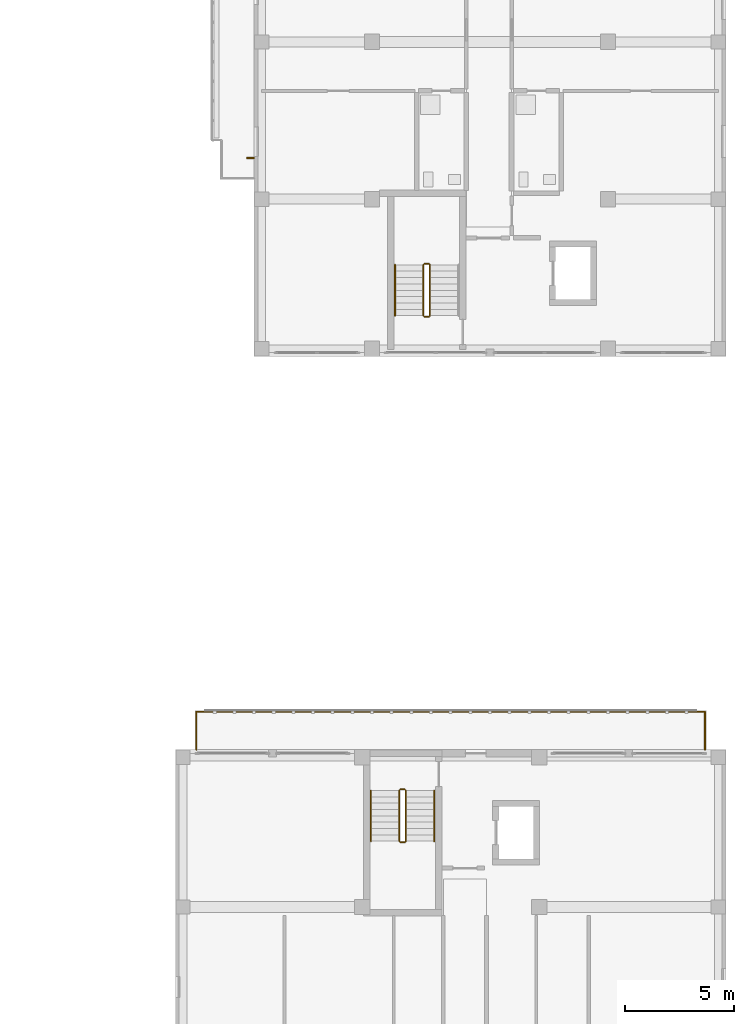
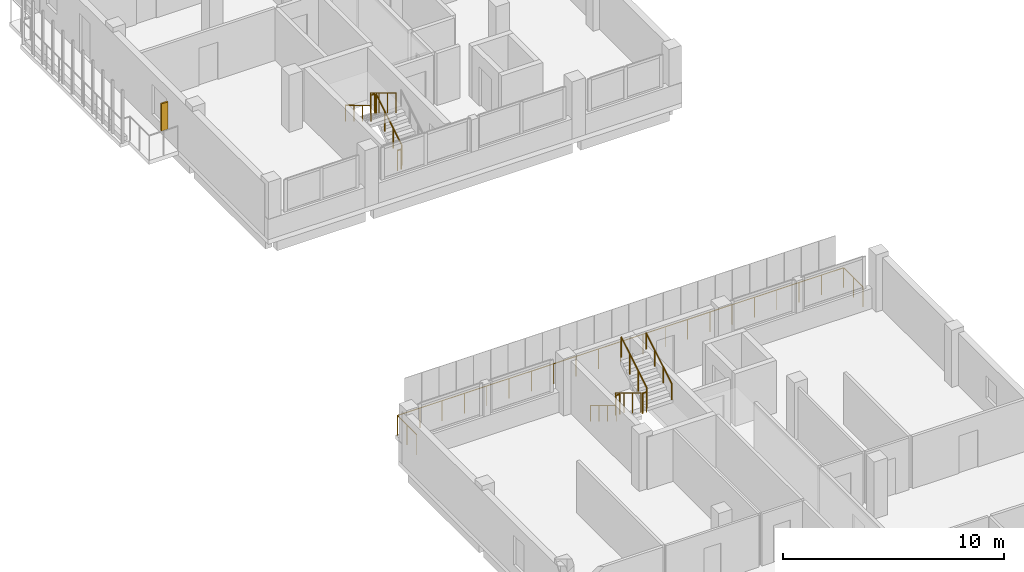
# One storey, part 47 of 51: 12 railings, 1 shading device.
"""IFC4 building model written with IfcOpenShell, lengths in metres."""

from ifc_helpers import new_model, si_unit, derived_unit, direction, frame, origin, origin_2d, place, context, subcontext, project, spatial, rectangle, circle, extrude, material, type_object, element, save


model = new_model("IFC4")

# Units and contexts
model_context = context("Model", 3, precision=1e-05, world=origin(), true_north=direction((0.0, 1.0)))
body_context = subcontext(model_context, "Body", "Model", "MODEL_VIEW")
ifc_project = project(units=[si_unit("LENGTHUNIT", "METRE"), si_unit("AREAUNIT", "SQUARE_METRE"), si_unit("VOLUMEUNIT", "CUBIC_METRE"), si_unit("PLANEANGLEUNIT", "RADIAN"), si_unit("MASSUNIT", "GRAM", prefix="KILO"), derived_unit("THERMALTRANSMITTANCEUNIT", [(si_unit("MASSUNIT", "GRAM", prefix="KILO"), 1), (si_unit("TIMEUNIT", "SECOND"), -3), (si_unit("THERMODYNAMICTEMPERATUREUNIT", "KELVIN"), -1)])], contexts=[model_context])

# Site, building, storey
site_placement = place(None, origin())
site = spatial("IfcSite", under=ifc_project, at=site_placement, CompositionType="ELEMENT")
building_placement = place(site_placement, origin())
building = spatial("IfcBuilding", under=site, at=building_placement, Name="Ochrekiln Boulevard Commons", CompositionType="ELEMENT")
storey_placement = place(building_placement, frame((0.0, 0.0, 15.22509765625)))
storey = spatial("IfcBuildingStorey", under=building, at=storey_placement, Name="L04", CompositionType="ELEMENT", Elevation=15.22509765625)

# Railings
ifc_material_1 = material(Name="Bronze-anodized extruded aluminium 6063-T6", Category="aluminium")
railing_type_1 = type_object("IfcRailingType", Name="RLG-BAL-1120", PredefinedType="BALUSTRADE", material=ifc_material_1)
railing_1_placement = place(storey_placement, frame((148.56005859375, 50.39990234375, 0.0)))
element("IfcRailing", 1, at=railing_1_placement, inside=storey, type_object=railing_type_1, Name="Block C L04 Screened Balcony Guard", PredefinedType="BALUSTRADE", context=body_context, shape_type="SweptSolid", body=[
    extrude(circle(Radius=0.02392578125, at=origin_2d()), frame((0.0, 0.0, 1.09619140625), z_axis=(0.0, 1.0, 0.0), x_axis=(-1.0, 0.0, 0.0)), (0.0, 0.0, 1.0), 1.739990234375),
    extrude(circle(Radius=0.02392578125, at=origin_2d()), frame((0.0, 1.739990234375, 1.09619140625), z_axis=(1.0, 0.0, 0.0), x_axis=(0.0, 1.0, 0.0)), (0.0, 0.0, 1.0), 23.280029296875),
    extrude(circle(Radius=0.02392578125, at=origin_2d()), frame((23.280029296875, 1.739990234375, 1.09619140625), z_axis=(0.0, -1.0, 0.0), x_axis=(1.0, 0.0, 0.0)), (0.0, 0.0, 1.0), 1.739990234375),
    extrude(circle(Radius=0.02099609375, at=origin_2d()), origin(), (0.0, 0.0, 1.0), 1.072021484375),
    extrude(circle(Radius=0.02099609375, at=origin_2d()), frame((0.0, 0.8701171875, 0.0)), (0.0, 0.0, 1.0), 1.072021484375),
    extrude(circle(Radius=0.02099609375, at=origin_2d()), frame((0.0, 1.739990234375, 0.0)), (0.0, 0.0, 1.0), 1.072021484375),
    extrude(circle(Radius=0.02099609375, at=origin_2d()), frame((1.1640625, 1.739990234375, 0.0)), (0.0, 0.0, 1.0), 1.072021484375),
    extrude(circle(Radius=0.02099609375, at=origin_2d()), frame((2.328125, 1.739990234375, 0.0)), (0.0, 0.0, 1.0), 1.072021484375),
    extrude(circle(Radius=0.02099609375, at=origin_2d()), frame((3.491943359375, 1.739990234375, 0.0)), (0.0, 0.0, 1.0), 1.072021484375),
    extrude(circle(Radius=0.02099609375, at=origin_2d()), frame((4.656005859375, 1.739990234375, 0.0)), (0.0, 0.0, 1.0), 1.072021484375),
    extrude(circle(Radius=0.02099609375, at=origin_2d()), frame((5.820068359375, 1.739990234375, 0.0)), (0.0, 0.0, 1.0), 1.072021484375),
    extrude(circle(Radius=0.02099609375, at=origin_2d()), frame((6.98388671875, 1.739990234375, 0.0)), (0.0, 0.0, 1.0), 1.072021484375),
    extrude(circle(Radius=0.02099609375, at=origin_2d()), frame((8.14794921875, 1.739990234375, 0.0)), (0.0, 0.0, 1.0), 1.072021484375),
    extrude(circle(Radius=0.02099609375, at=origin_2d()), frame((9.31201171875, 1.739990234375, 0.0)), (0.0, 0.0, 1.0), 1.072021484375),
    extrude(circle(Radius=0.02099609375, at=origin_2d()), frame((10.47607421875, 1.739990234375, 0.0)), (0.0, 0.0, 1.0), 1.072021484375),
    extrude(circle(Radius=0.02099609375, at=origin_2d()), frame((11.64013671875, 1.739990234375, 0.0)), (0.0, 0.0, 1.0), 1.072021484375),
    extrude(circle(Radius=0.02099609375, at=origin_2d()), frame((12.803955078125, 1.739990234375, 0.0)), (0.0, 0.0, 1.0), 1.072021484375),
    extrude(circle(Radius=0.02099609375, at=origin_2d()), frame((13.968017578125, 1.739990234375, 0.0)), (0.0, 0.0, 1.0), 1.072021484375),
    extrude(circle(Radius=0.02099609375, at=origin_2d()), frame((15.132080078125, 1.739990234375, 0.0)), (0.0, 0.0, 1.0), 1.072021484375),
    extrude(circle(Radius=0.02099609375, at=origin_2d()), frame((16.2958984375, 1.739990234375, 0.0)), (0.0, 0.0, 1.0), 1.072021484375),
    extrude(circle(Radius=0.02099609375, at=origin_2d()), frame((17.4599609375, 1.739990234375, 0.0)), (0.0, 0.0, 1.0), 1.072021484375),
    extrude(circle(Radius=0.02099609375, at=origin_2d()), frame((18.6240234375, 1.739990234375, 0.0)), (0.0, 0.0, 1.0), 1.072021484375),
    extrude(circle(Radius=0.02099609375, at=origin_2d()), frame((19.7880859375, 1.739990234375, 0.0)), (0.0, 0.0, 1.0), 1.072021484375),
    extrude(circle(Radius=0.02099609375, at=origin_2d()), frame((20.9521484375, 1.739990234375, 0.0)), (0.0, 0.0, 1.0), 1.072021484375),
    extrude(circle(Radius=0.02099609375, at=origin_2d()), frame((22.115966796875, 1.739990234375, 0.0)), (0.0, 0.0, 1.0), 1.072021484375),
    extrude(circle(Radius=0.02099609375, at=origin_2d()), frame((23.280029296875, 1.739990234375, 0.0)), (0.0, 0.0, 1.0), 1.072021484375),
    extrude(circle(Radius=0.02099609375, at=origin_2d()), frame((23.280029296875, 0.8701171875, 0.0)), (0.0, 0.0, 1.0), 1.072021484375),
    extrude(circle(Radius=0.02099609375, at=origin_2d()), frame((23.280029296875, 0.0, 0.0)), (0.0, 0.0, 1.0), 1.072021484375),
])
ifc_material_2 = material(Name="Brushed stainless steel 316 tubular railing", Category="steel")
railing_type_2 = type_object("IfcRailingType", Name="RLG-HDR-900", PredefinedType="HANDRAIL", material=ifc_material_2)
railing_2_placement = place(storey_placement, frame((157.64990234375, 72.590087890625, 1.75)))
element("IfcRailing", 2, at=railing_2_placement, inside=storey, type_object=railing_type_2, Name="L04 ST-B1 stair handrail 2", PredefinedType="HANDRAIL", context=body_context, shape_type="SweptSolid", body=[
    extrude(circle(Radius=0.02392578125, at=origin_2d()), frame((0.0, 0.0, 0.8759765625), z_axis=(0.0, -0.85621033714, 0.516627388526), x_axis=(1.0, 0.0, 0.0)), (0.0, 0.0, 1.0), 2.709716796875),
    extrude(circle(Radius=0.02099609375, at=origin_2d()), origin(), (0.0, 0.0, 1.0), 0.851806640625),
    extrude(circle(Radius=0.02099609375, at=origin_2d()), frame((0.0, -0.7734375, 0.466552734375)), (0.0, 0.0, 1.0), 0.851806640625),
    extrude(circle(Radius=0.02099609375, at=origin_2d()), frame((0.0, -1.546630859375, 0.933349609375)), (0.0, 0.0, 1.0), 0.851806640625),
    extrude(circle(Radius=0.02099609375, at=origin_2d()), frame((0.0, -2.320068359375, 1.39990234375)), (0.0, 0.0, 1.0), 0.851806640625),
])
railing_3_placement = place(storey_placement, frame((156.550048828125, 48.530029296875, 0.1748046875)))
element("IfcRailing", 3, at=railing_3_placement, inside=storey, type_object=railing_type_2, Name="L04 ST-C2 stair handrail 1", PredefinedType="HANDRAIL", context=body_context, shape_type="SweptSolid", body=[
    extrude(circle(Radius=0.02392578125, at=origin_2d()), frame((0.0, 0.0, 0.8759765625), z_axis=(0.0, -0.856170481923, 0.516693435108), x_axis=(1.0, 0.0, 0.0)), (0.0, 0.0, 1.0), 2.709716796875),
    extrude(circle(Radius=0.02099609375, at=origin_2d()), origin(), (0.0, 0.0, 1.0), 0.851806640625),
    extrude(circle(Radius=0.02099609375, at=origin_2d()), frame((0.0, -0.7734375, 0.466796875)), (0.0, 0.0, 1.0), 0.851806640625),
    extrude(circle(Radius=0.02099609375, at=origin_2d()), frame((0.0, -1.546630859375, 0.933349609375)), (0.0, 0.0, 1.0), 0.851806640625),
    extrude(circle(Radius=0.02099609375, at=origin_2d()), frame((0.0, -2.320068359375, 1.400146484375)), (0.0, 0.0, 1.0), 0.851806640625),
])
railing_4_placement = place(storey_placement, frame((159.449951171875, 46.2099609375, 1.75)))
element("IfcRailing", 4, at=railing_4_placement, inside=storey, type_object=railing_type_2, Name="L04 ST-C2 stair handrail 2", PredefinedType="HANDRAIL", context=body_context, shape_type="SweptSolid", body=[
    extrude(circle(Radius=0.02392578125, at=origin_2d()), frame((0.0, 0.0, 0.8759765625), z_axis=(0.0, 0.85621033714, 0.516627388526), x_axis=(-1.0, 0.0, 0.0)), (0.0, 0.0, 1.0), 2.709716796875),
    extrude(circle(Radius=0.02099609375, at=origin_2d()), origin(), (0.0, 0.0, 1.0), 0.851806640625),
    extrude(circle(Radius=0.02099609375, at=origin_2d()), frame((0.0, 0.7734375, 0.466552734375)), (0.0, 0.0, 1.0), 0.851806640625),
    extrude(circle(Radius=0.02099609375, at=origin_2d()), frame((0.0, 1.546630859375, 0.933349609375)), (0.0, 0.0, 1.0), 0.851806640625),
    extrude(circle(Radius=0.02099609375, at=origin_2d()), frame((0.0, 2.320068359375, 1.39990234375)), (0.0, 0.0, 1.0), 0.851806640625),
])
railing_type_3 = type_object("IfcRailingType", Name="RLG-STR-1120", PredefinedType="BALUSTRADE", material=ifc_material_2)
railing_5_placement = place(storey_placement, frame((159.25, 70.27001953125, 0.1748046875)))
element("IfcRailing", 5, at=railing_5_placement, inside=storey, type_object=railing_type_3, Name="L04 ST-B1 stair guard 1", PredefinedType="BALUSTRADE", context=body_context, shape_type="SweptSolid", body=[
    extrude(circle(Radius=0.02392578125, at=origin_2d()), frame((0.0, 0.0, 1.09619140625), z_axis=(0.0, 0.856170481923, 0.516693435108), x_axis=(-1.0, 0.0, 0.0)), (0.0, 0.0, 1.0), 2.709716796875),
    extrude(circle(Radius=0.02099609375, at=origin_2d()), origin(), (0.0, 0.0, 1.0), 1.072021484375),
    extrude(circle(Radius=0.02099609375, at=origin_2d()), frame((0.0, 0.7734375, 0.466796875)), (0.0, 0.0, 1.0), 1.072021484375),
    extrude(circle(Radius=0.02099609375, at=origin_2d()), frame((0.0, 1.546630859375, 0.933349609375)), (0.0, 0.0, 1.0), 1.072021484375),
    extrude(circle(Radius=0.02099609375, at=origin_2d()), frame((0.0, 2.320068359375, 1.400146484375)), (0.0, 0.0, 1.0), 1.072021484375),
])
railing_6_placement = place(storey_placement, frame((159.199951171875, 72.639892578125, 1.574951171875)))
element("IfcRailing", 6, at=railing_6_placement, inside=storey, type_object=railing_type_3, Name="L04 ST-B1 stair guard 2", PredefinedType="BALUSTRADE", context=body_context, shape_type="SweptSolid", body=[
    extrude(circle(Radius=0.02392578125, at=origin_2d()), frame((0.0, 0.0, 1.09619140625), z_axis=(-1.0, 0.0, 0.0), x_axis=(0.0, -1.0, 0.0)), (0.0, 0.0, 1.0), 0.199951171875),
    extrude(circle(Radius=0.02099609375, at=origin_2d()), origin(), (0.0, 0.0, 1.0), 1.072021484375),
    extrude(circle(Radius=0.02099609375, at=origin_2d()), frame((-0.199951171875, 0.0, 0.0)), (0.0, 0.0, 1.0), 1.072021484375),
])
railing_7_placement = place(storey_placement, frame((158.949951171875, 72.590087890625, 1.75)))
element("IfcRailing", 7, at=railing_7_placement, inside=storey, type_object=railing_type_3, Name="L04 ST-B1 stair guard 3", PredefinedType="BALUSTRADE", context=body_context, shape_type="SweptSolid", body=[
    extrude(circle(Radius=0.02392578125, at=origin_2d()), frame((0.0, 0.0, 1.09619140625), z_axis=(0.0, -0.85621033714, 0.516627388526), x_axis=(1.0, 0.0, 0.0)), (0.0, 0.0, 1.0), 2.709716796875),
    extrude(circle(Radius=0.02099609375, at=origin_2d()), origin(), (0.0, 0.0, 1.0), 1.072021484375),
    extrude(circle(Radius=0.02099609375, at=origin_2d()), frame((0.0, -0.7734375, 0.466552734375)), (0.0, 0.0, 1.0), 1.072021484375),
    extrude(circle(Radius=0.02099609375, at=origin_2d()), frame((0.0, -1.546630859375, 0.933349609375)), (0.0, 0.0, 1.0), 1.072021484375),
    extrude(circle(Radius=0.02099609375, at=origin_2d()), frame((0.0, -2.320068359375, 1.39990234375)), (0.0, 0.0, 1.0), 1.072021484375),
])
railing_8_placement = place(storey_placement, frame((159.199951171875, 70.219970703125, 0.0)))
element("IfcRailing", 8, at=railing_8_placement, inside=storey, type_object=railing_type_3, Name="L04 ST-B1 stair guard 4", PredefinedType="BALUSTRADE", context=body_context, shape_type="SweptSolid", body=[
    extrude(circle(Radius=0.02392578125, at=origin_2d()), frame((0.0, 0.0, 1.09619140625), z_axis=(-1.0, 0.0, 0.0), x_axis=(0.0, -1.0, 0.0)), (0.0, 0.0, 1.0), 0.199951171875),
    extrude(circle(Radius=0.02099609375, at=origin_2d()), origin(), (0.0, 0.0, 1.0), 1.072021484375),
    extrude(circle(Radius=0.02099609375, at=origin_2d()), frame((-0.199951171875, 0.0, 0.0)), (0.0, 0.0, 1.0), 1.072021484375),
])
railing_9_placement = place(storey_placement, frame((157.85009765625, 48.530029296875, 0.1748046875)))
element("IfcRailing", 9, at=railing_9_placement, inside=storey, type_object=railing_type_3, Name="L04 ST-C2 stair guard 1", PredefinedType="BALUSTRADE", context=body_context, shape_type="SweptSolid", body=[
    extrude(circle(Radius=0.02392578125, at=origin_2d()), frame((0.0, 0.0, 1.09619140625), z_axis=(0.0, -0.856170481923, 0.516693435108), x_axis=(1.0, 0.0, 0.0)), (0.0, 0.0, 1.0), 2.709716796875),
    extrude(circle(Radius=0.02099609375, at=origin_2d()), origin(), (0.0, 0.0, 1.0), 1.072021484375),
    extrude(circle(Radius=0.02099609375, at=origin_2d()), frame((0.0, -0.7734375, 0.466796875)), (0.0, 0.0, 1.0), 1.072021484375),
    extrude(circle(Radius=0.02099609375, at=origin_2d()), frame((0.0, -1.546630859375, 0.933349609375)), (0.0, 0.0, 1.0), 1.072021484375),
    extrude(circle(Radius=0.02099609375, at=origin_2d()), frame((0.0, -2.320068359375, 1.400146484375)), (0.0, 0.0, 1.0), 1.072021484375),
])
railing_10_placement = place(storey_placement, frame((157.89990234375, 46.159912109375, 1.574951171875)))
element("IfcRailing", 10, at=railing_10_placement, inside=storey, type_object=railing_type_3, Name="L04 ST-C2 stair guard 2", PredefinedType="BALUSTRADE", context=body_context, shape_type="SweptSolid", body=[
    extrude(circle(Radius=0.02392578125, at=origin_2d()), frame((0.0, 0.0, 1.09619140625), z_axis=(1.0, 0.0, 0.0), x_axis=(0.0, 1.0, 0.0)), (0.0, 0.0, 1.0), 0.2001953125),
    extrude(circle(Radius=0.02099609375, at=origin_2d()), origin(), (0.0, 0.0, 1.0), 1.072021484375),
    extrude(circle(Radius=0.02099609375, at=origin_2d()), frame((0.2001953125, 0.0, 0.0)), (0.0, 0.0, 1.0), 1.072021484375),
])
railing_11_placement = place(storey_placement, frame((158.14990234375, 46.2099609375, 1.75)))
element("IfcRailing", 11, at=railing_11_placement, inside=storey, type_object=railing_type_3, Name="L04 ST-C2 stair guard 3", PredefinedType="BALUSTRADE", context=body_context, shape_type="SweptSolid", body=[
    extrude(circle(Radius=0.02392578125, at=origin_2d()), frame((0.0, 0.0, 1.09619140625), z_axis=(0.0, 0.85621033714, 0.516627388526), x_axis=(-1.0, 0.0, 0.0)), (0.0, 0.0, 1.0), 2.709716796875),
    extrude(circle(Radius=0.02099609375, at=origin_2d()), origin(), (0.0, 0.0, 1.0), 1.072021484375),
    extrude(circle(Radius=0.02099609375, at=origin_2d()), frame((0.0, 0.7734375, 0.466552734375)), (0.0, 0.0, 1.0), 1.072021484375),
    extrude(circle(Radius=0.02099609375, at=origin_2d()), frame((0.0, 1.546630859375, 0.933349609375)), (0.0, 0.0, 1.0), 1.072021484375),
    extrude(circle(Radius=0.02099609375, at=origin_2d()), frame((0.0, 2.320068359375, 1.39990234375)), (0.0, 0.0, 1.0), 1.072021484375),
])
railing_12_placement = place(storey_placement, frame((157.89990234375, 48.580078125, 0.0)))
element("IfcRailing", 12, at=railing_12_placement, inside=storey, type_object=railing_type_3, Name="L04 ST-C2 stair guard 4", PredefinedType="BALUSTRADE", context=body_context, shape_type="SweptSolid", body=[
    extrude(circle(Radius=0.02392578125, at=origin_2d()), frame((0.0, 0.0, 1.09619140625), z_axis=(1.0, 0.0, 0.0), x_axis=(0.0, 1.0, 0.0)), (0.0, 0.0, 1.0), 0.2001953125),
    extrude(circle(Radius=0.02099609375, at=origin_2d()), origin(), (0.0, 0.0, 1.0), 1.072021484375),
    extrude(circle(Radius=0.02099609375, at=origin_2d()), frame((0.2001953125, 0.0, 0.0)), (0.0, 0.0, 1.0), 1.072021484375),
])

# Shading device
ifc_material_3 = material(Name="Glazed architectural terracotta ASTM C1405", Category="masonry")
shading_device_type = type_object("IfcShadingDeviceType", Name="SHD-FIN-TERRA", PredefinedType="JALOUSIE", material=ifc_material_3)
shading_device_placement = place(storey_placement, frame((151.030029296875, 77.48291015625, 0.6298828125), z_axis=(0.0, 0.0, 1.0), x_axis=(1.0, 0.0, 0.0)))
element("IfcShadingDevice", 13, at=shading_device_placement, inside=storey, type_object=shading_device_type, Name="Terracotta Solar Shading Fin SF-01 (34)", PredefinedType="JALOUSIE", context=body_context, shape_type="SweptSolid", body=[
    extrude(rectangle(XDim=0.35009765625, YDim=0.080078125, at=origin_2d()), origin(), (0.0, 0.0, 1.0), 1.5),
])

save(model, "model.ifc")
